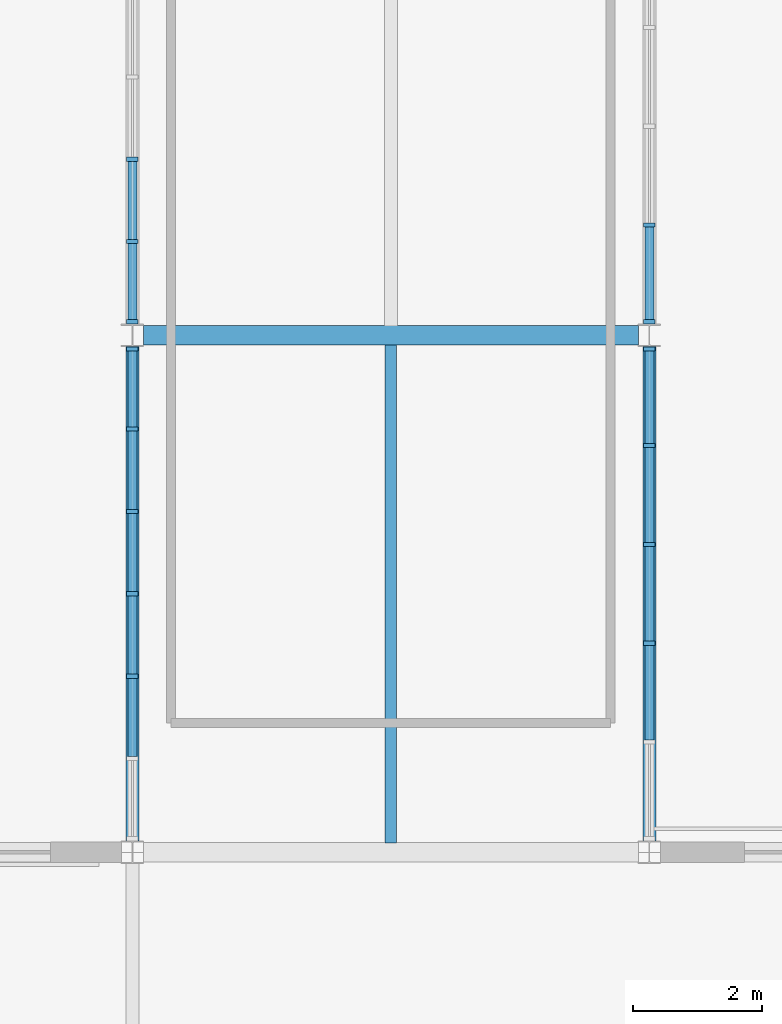
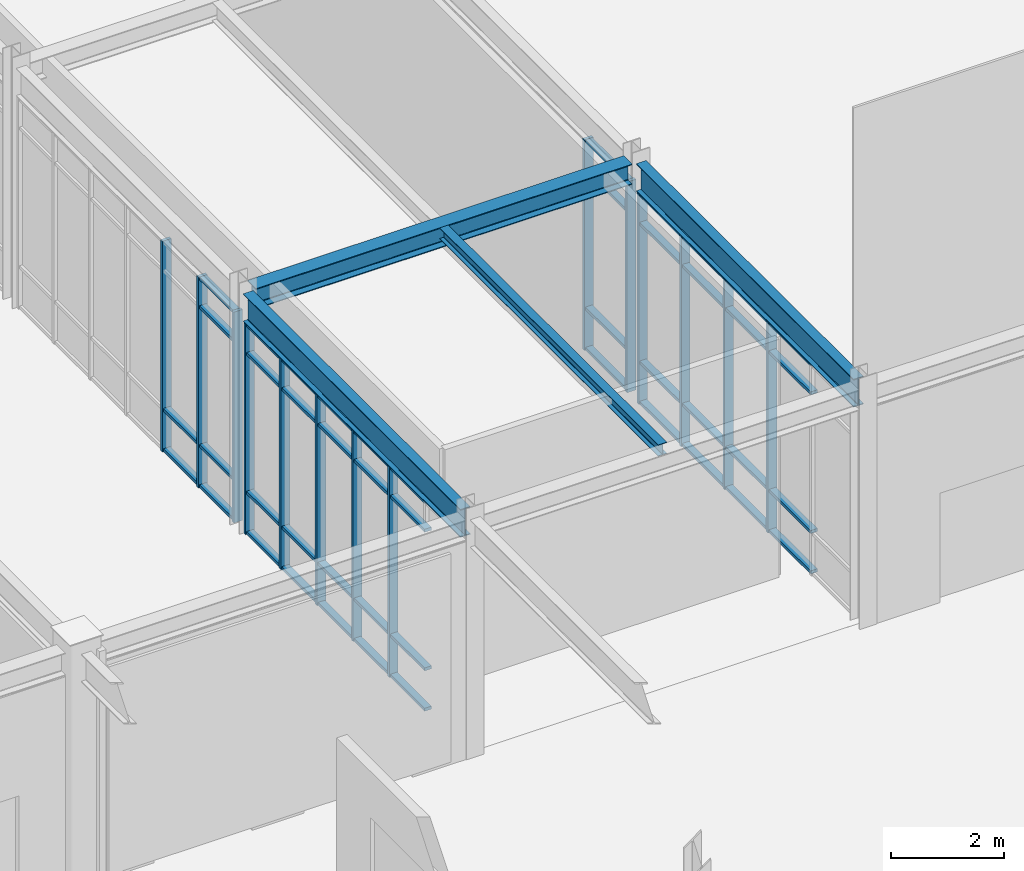
# One storey, part 26 of 119: 60 members, 4 beams, 4 elements without a shape of their own.
"""IFC4 building model written with IfcOpenShell, lengths in metres."""

from ifc_helpers import new_model, si_unit, direction, frame, origin, origin_2d, place, context, subcontext, project, spatial, rectangle, i_section, extrude, material, material_profile, profile_set, type_object, element, aggregate, save


model = new_model("IFC4")

# Units and contexts
model_context = context("Model", 3, precision=1e-05, world=origin(), true_north=direction((0.0, 1.0)))
body_context = subcontext(model_context, "Body", "Model", "MODEL_VIEW")
ifc_project = project(units=[si_unit("LENGTHUNIT", "METRE"), si_unit("AREAUNIT", "SQUARE_METRE"), si_unit("VOLUMEUNIT", "CUBIC_METRE"), si_unit("PLANEANGLEUNIT", "RADIAN"), si_unit("MASSUNIT", "GRAM", prefix="KILO")], contexts=[model_context])

# Site, building, storey
site_placement = place(None, origin())
site = spatial("IfcSite", under=ifc_project, at=site_placement, CompositionType="ELEMENT")
building_placement = place(site_placement, origin())
building = spatial("IfcBuilding", under=site, at=building_placement, Name="Zhaolan Boulevard Law Courts", CompositionType="ELEMENT")
storey_placement = place(building_placement, origin())
storey = spatial("IfcBuildingStorey", under=building, at=storey_placement, Name="L00", CompositionType="ELEMENT", Elevation=0.0)

# Curtain wall, members
ifc_material_1 = material(Name="Thermally broken aluminium and low-E glazing", Category="aluminium")
curtain_wall_type_1 = type_object("IfcCurtainWallType", Name="CURTAIN WALL M12", PredefinedType="USERDEFINED", material=ifc_material_1)
curtain_wall_1_placement = place(storey_placement, origin())
curtain_wall_1 = element("IfcCurtainWall", 1, at=curtain_wall_1_placement, inside=storey, type_object=curtain_wall_type_1, Name="Curtain Wall CW-L00-012", ObjectType="CURTAIN WALL", PredefinedType="USERDEFINED")
ifc_material_2 = material(Name="Fluorocarbon-coated aluminium 6063-T6", Category="aluminium")
ifc_material_profile_1 = material_profile(ifc_material_2, rectangle(XDim=0.179931640625, YDim=0.06494140625, at=origin_2d()), Name="AL65x180")
ifc_profile_set_1 = profile_set([ifc_material_profile_1], Name="Fluorocarbon-coated aluminium 6063-T6")
member_type_1 = type_object("IfcMemberType", Name="CWMULLION 65X180", PredefinedType="MULLION", material=ifc_profile_set_1)
member_1_placement = place(storey_placement, frame((52.0, 37.79052734375, 0.0), z_axis=(0.0, 0.0, 1.0), x_axis=(1.0, 0.0, 0.0)))
member_1 = element("IfcMember", 2, at=member_1_placement, type_object=member_type_1, Name="CW-L00-012 mullion 1", PredefinedType="MULLION", context=body_context, shape_type="SweptSolid", body=[
    extrude(rectangle(XDim=0.179931640625, YDim=0.06494140625, at=origin_2d()), origin(), (0.0, 0.0, 1.0), 4.532958984375),
])
member_2_placement = place(storey_placement, frame((52.0, 36.548583984375, 0.0), z_axis=(0.0, 0.0, 1.0), x_axis=(1.0, 0.0, 0.0)))
member_2 = element("IfcMember", 3, at=member_2_placement, type_object=member_type_1, Name="CW-L00-012 mullion 2", PredefinedType="MULLION", context=body_context, shape_type="SweptSolid", body=[
    extrude(rectangle(XDim=0.179931640625, YDim=0.06494140625, at=origin_2d()), origin(), (0.0, 0.0, 1.0), 4.532958984375),
])
member_3_placement = place(storey_placement, frame((52.0, 35.2744140625, 0.0), z_axis=(0.0, 0.0, 1.0), x_axis=(1.0, 0.0, 0.0)))
member_3 = element("IfcMember", 4, at=member_3_placement, type_object=member_type_1, Name="CW-L00-012 mullion 3", PredefinedType="MULLION", context=body_context, shape_type="SweptSolid", body=[
    extrude(rectangle(XDim=0.179931640625, YDim=0.06494140625, at=origin_2d()), origin(), (0.0, 0.0, 1.0), 4.532958984375),
])
member_4_placement = place(storey_placement, frame((52.0, 34.0, 0.0), z_axis=(0.0, 0.0, 1.0), x_axis=(1.0, 0.0, 0.0)))
member_4 = element("IfcMember", 5, at=member_4_placement, type_object=member_type_1, Name="CW-L00-012 mullion 4", PredefinedType="MULLION", context=body_context, shape_type="SweptSolid", body=[
    extrude(rectangle(XDim=0.179931640625, YDim=0.06494140625, at=origin_2d()), origin(), (0.0, 0.0, 1.0), 4.532958984375),
])
member_5_placement = place(storey_placement, frame((52.0, 32.7255859375, 0.0), z_axis=(0.0, 0.0, 1.0), x_axis=(1.0, 0.0, 0.0)))
member_5 = element("IfcMember", 6, at=member_5_placement, type_object=member_type_1, Name="CW-L00-012 mullion 5", PredefinedType="MULLION", context=body_context, shape_type="SweptSolid", body=[
    extrude(rectangle(XDim=0.179931640625, YDim=0.06494140625, at=origin_2d()), origin(), (0.0, 0.0, 1.0), 4.532958984375),
])

ifc_material_3 = material(Name="Thermally broken aluminium and low-E glazing", Category="aluminium")
curtain_wall_type_2 = type_object("IfcCurtainWallType", Name="CURTAIN WALL M13", PredefinedType="USERDEFINED", material=ifc_material_3)
curtain_wall_2_placement = place(storey_placement, origin())
curtain_wall_2 = element("IfcCurtainWall", 7, at=curtain_wall_2_placement, inside=storey, type_object=curtain_wall_type_2, Name="Curtain Wall CW-L00-013", ObjectType="CURTAIN WALL", PredefinedType="USERDEFINED")
member_6_placement = place(storey_placement, frame((52.0, 40.7255859375, 0.0), z_axis=(0.0, 0.0, 1.0), x_axis=(1.0, 0.0, 0.0)))
member_6 = element("IfcMember", 8, at=member_6_placement, type_object=member_type_1, Name="CW-L00-013 mullion 5", PredefinedType="MULLION", context=body_context, shape_type="SweptSolid", body=[
    extrude(rectangle(XDim=0.179931640625, YDim=0.06494140625, at=origin_2d()), origin(), (0.0, 0.0, 1.0), 4.532958984375),
])
member_7_placement = place(storey_placement, frame((52.0, 39.451416015625, 0.0), z_axis=(0.0, 0.0, 1.0), x_axis=(1.0, 0.0, 0.0)))
member_7 = element("IfcMember", 9, at=member_7_placement, type_object=member_type_1, Name="CW-L00-013 mullion 6", PredefinedType="MULLION", context=body_context, shape_type="SweptSolid", body=[
    extrude(rectangle(XDim=0.179931640625, YDim=0.06494140625, at=origin_2d()), origin(), (0.0, 0.0, 1.0), 4.532958984375),
])
member_8_placement = place(storey_placement, frame((52.0, 38.20947265625, 0.0), z_axis=(0.0, 0.0, 1.0), x_axis=(1.0, 0.0, 0.0)))
member_8 = element("IfcMember", 10, at=member_8_placement, type_object=member_type_1, Name="CW-L00-013 mullion 7", PredefinedType="MULLION", context=body_context, shape_type="SweptSolid", body=[
    extrude(rectangle(XDim=0.179931640625, YDim=0.06494140625, at=origin_2d()), origin(), (0.0, 0.0, 1.0), 4.532958984375),
])

ifc_material_4 = material(Name="Thermally broken aluminium and low-E glazing", Category="aluminium")
curtain_wall_type_3 = type_object("IfcCurtainWallType", Name="CURTAIN WALL M16", PredefinedType="USERDEFINED", material=ifc_material_4)
curtain_wall_3_placement = place(storey_placement, origin())
curtain_wall_3 = element("IfcCurtainWall", 11, at=curtain_wall_3_placement, inside=storey, type_object=curtain_wall_type_3, Name="Curtain Wall CW-L00-016", ObjectType="CURTAIN WALL", PredefinedType="USERDEFINED")
member_9_placement = place(storey_placement, frame((60.0, 33.2353515625, 0.0), z_axis=(0.0, 0.0, 1.0), x_axis=(-1.0, 0.0, 0.0)))
member_9 = element("IfcMember", 12, at=member_9_placement, type_object=member_type_1, Name="CW-L00-016 mullion 3", PredefinedType="MULLION", context=body_context, shape_type="SweptSolid", body=[
    extrude(rectangle(XDim=0.179931640625, YDim=0.06494140625, at=origin_2d()), origin(), (0.0, 0.0, 1.0), 4.532958984375),
])
member_10_placement = place(storey_placement, frame((60.0, 34.7646484375, 0.0), z_axis=(0.0, 0.0, 1.0), x_axis=(-1.0, 0.0, 0.0)))
member_10 = element("IfcMember", 13, at=member_10_placement, type_object=member_type_1, Name="CW-L00-016 mullion 4", PredefinedType="MULLION", context=body_context, shape_type="SweptSolid", body=[
    extrude(rectangle(XDim=0.179931640625, YDim=0.06494140625, at=origin_2d()), origin(), (0.0, 0.0, 1.0), 4.532958984375),
])
member_11_placement = place(storey_placement, frame((60.0, 36.293701171875, 0.0), z_axis=(0.0, 0.0, 1.0), x_axis=(-1.0, 0.0, 0.0)))
member_11 = element("IfcMember", 14, at=member_11_placement, type_object=member_type_1, Name="CW-L00-016 mullion 5", PredefinedType="MULLION", context=body_context, shape_type="SweptSolid", body=[
    extrude(rectangle(XDim=0.179931640625, YDim=0.06494140625, at=origin_2d()), origin(), (0.0, 0.0, 1.0), 4.532958984375),
])
member_12_placement = place(storey_placement, frame((60.0, 37.79052734375, 0.0), z_axis=(0.0, 0.0, 1.0), x_axis=(-1.0, 0.0, 0.0)))
member_12 = element("IfcMember", 15, at=member_12_placement, type_object=member_type_1, Name="CW-L00-016 mullion 6", PredefinedType="MULLION", context=body_context, shape_type="SweptSolid", body=[
    extrude(rectangle(XDim=0.179931640625, YDim=0.06494140625, at=origin_2d()), origin(), (0.0, 0.0, 1.0), 4.532958984375),
])

ifc_material_5 = material(Name="Thermally broken aluminium and low-E glazing", Category="aluminium")
curtain_wall_type_4 = type_object("IfcCurtainWallType", Name="CURTAIN WALL M17", PredefinedType="USERDEFINED", material=ifc_material_5)
curtain_wall_4_placement = place(storey_placement, origin())
curtain_wall_4 = element("IfcCurtainWall", 16, at=curtain_wall_4_placement, inside=storey, type_object=curtain_wall_type_4, Name="Curtain Wall CW-L00-017", ObjectType="CURTAIN WALL", PredefinedType="USERDEFINED")
member_13_placement = place(storey_placement, frame((60.0, 38.20947265625, 0.0), z_axis=(0.0, 0.0, 1.0), x_axis=(-1.0, 0.0, 0.0)))
member_13 = element("IfcMember", 17, at=member_13_placement, type_object=member_type_1, Name="CW-L00-017 mullion 1", PredefinedType="MULLION", context=body_context, shape_type="SweptSolid", body=[
    extrude(rectangle(XDim=0.179931640625, YDim=0.06494140625, at=origin_2d()), origin(), (0.0, 0.0, 1.0), 4.532958984375),
])
member_14_placement = place(storey_placement, frame((60.0, 39.706298828125, 0.0), z_axis=(0.0, 0.0, 1.0), x_axis=(-1.0, 0.0, 0.0)))
member_14 = element("IfcMember", 18, at=member_14_placement, type_object=member_type_1, Name="CW-L00-017 mullion 2", PredefinedType="MULLION", context=body_context, shape_type="SweptSolid", body=[
    extrude(rectangle(XDim=0.179931640625, YDim=0.06494140625, at=origin_2d()), origin(), (0.0, 0.0, 1.0), 4.532958984375),
])

# Member
ifc_material_6 = material(Name="Fluorocarbon-coated aluminium 6063-T6", Category="aluminium")
ifc_material_profile_2 = material_profile(ifc_material_6, rectangle(XDim=0.139892578125, YDim=0.06494140625, at=origin_2d()), Name="AL65x140")
ifc_profile_set_2 = profile_set([ifc_material_profile_2], Name="Fluorocarbon-coated aluminium 6063-T6")
member_type_2 = type_object("IfcMemberType", Name="CWTRANSOM 65X140", PredefinedType="USERDEFINED", material=ifc_profile_set_2)
member_15_placement = place(storey_placement, frame((52.0, 37.758056640625, 0.032470703125), z_axis=(0.0, -1.0, 0.0), x_axis=(1.0, 0.0, 0.0)))
member_15 = element("IfcMember", 19, at=member_15_placement, type_object=member_type_2, Name="CW-L00-012 transom 1.1", ObjectType="TRANSOM", PredefinedType="USERDEFINED", context=body_context, shape_type="SweptSolid", body=[
    extrude(rectangle(XDim=0.139892578125, YDim=0.06494140625, at=origin_2d()), origin(), (0.0, 0.0, 1.0), 1.177001953125),
])

member_16_placement = place(storey_placement, frame((52.0, 37.758056640625, 0.89990234375), z_axis=(0.0, -1.0, 0.0), x_axis=(1.0, 0.0, 0.0)))
member_16 = element("IfcMember", 20, at=member_16_placement, type_object=member_type_2, Name="CW-L00-012 transom 1.2", ObjectType="TRANSOM", PredefinedType="USERDEFINED", context=body_context, shape_type="SweptSolid", body=[
    extrude(rectangle(XDim=0.139892578125, YDim=0.06494140625, at=origin_2d()), origin(), (0.0, 0.0, 1.0), 1.177001953125),
])

member_17_placement = place(storey_placement, frame((52.0, 37.758056640625, 3.883056640625), z_axis=(0.0, -1.0, 0.0), x_axis=(1.0, 0.0, 0.0)))
member_17 = element("IfcMember", 21, at=member_17_placement, type_object=member_type_2, Name="CW-L00-012 transom 1.3", ObjectType="TRANSOM", PredefinedType="USERDEFINED", context=body_context, shape_type="SweptSolid", body=[
    extrude(rectangle(XDim=0.139892578125, YDim=0.06494140625, at=origin_2d()), origin(), (0.0, 0.0, 1.0), 1.177001953125),
])

member_18_placement = place(storey_placement, frame((52.0, 37.758056640625, 4.50048828125), z_axis=(0.0, -1.0, 0.0), x_axis=(1.0, 0.0, 0.0)))
member_18 = element("IfcMember", 22, at=member_18_placement, type_object=member_type_2, Name="CW-L00-012 transom 1.4", ObjectType="TRANSOM", PredefinedType="USERDEFINED", context=body_context, shape_type="SweptSolid", body=[
    extrude(rectangle(XDim=0.139892578125, YDim=0.06494140625, at=origin_2d()), origin(), (0.0, 0.0, 1.0), 1.177001953125),
])

member_19_placement = place(storey_placement, frame((52.0, 36.51611328125, 0.032470703125), z_axis=(0.0, -1.0, 0.0), x_axis=(1.0, 0.0, 0.0)))
member_19 = element("IfcMember", 23, at=member_19_placement, type_object=member_type_2, Name="CW-L00-012 transom 2.1", ObjectType="TRANSOM", PredefinedType="USERDEFINED", context=body_context, shape_type="SweptSolid", body=[
    extrude(rectangle(XDim=0.139892578125, YDim=0.06494140625, at=origin_2d()), origin(), (0.0, 0.0, 1.0), 1.209228515625),
])

member_20_placement = place(storey_placement, frame((52.0, 36.51611328125, 0.89990234375), z_axis=(0.0, -1.0, 0.0), x_axis=(1.0, 0.0, 0.0)))
member_20 = element("IfcMember", 24, at=member_20_placement, type_object=member_type_2, Name="CW-L00-012 transom 2.2", ObjectType="TRANSOM", PredefinedType="USERDEFINED", context=body_context, shape_type="SweptSolid", body=[
    extrude(rectangle(XDim=0.139892578125, YDim=0.06494140625, at=origin_2d()), origin(), (0.0, 0.0, 1.0), 1.209228515625),
])

member_21_placement = place(storey_placement, frame((52.0, 36.51611328125, 3.883056640625), z_axis=(0.0, -1.0, 0.0), x_axis=(1.0, 0.0, 0.0)))
member_21 = element("IfcMember", 25, at=member_21_placement, type_object=member_type_2, Name="CW-L00-012 transom 2.3", ObjectType="TRANSOM", PredefinedType="USERDEFINED", context=body_context, shape_type="SweptSolid", body=[
    extrude(rectangle(XDim=0.139892578125, YDim=0.06494140625, at=origin_2d()), origin(), (0.0, 0.0, 1.0), 1.209228515625),
])

member_22_placement = place(storey_placement, frame((52.0, 36.51611328125, 4.50048828125), z_axis=(0.0, -1.0, 0.0), x_axis=(1.0, 0.0, 0.0)))
member_22 = element("IfcMember", 26, at=member_22_placement, type_object=member_type_2, Name="CW-L00-012 transom 2.4", ObjectType="TRANSOM", PredefinedType="USERDEFINED", context=body_context, shape_type="SweptSolid", body=[
    extrude(rectangle(XDim=0.139892578125, YDim=0.06494140625, at=origin_2d()), origin(), (0.0, 0.0, 1.0), 1.209228515625),
])

member_23_placement = place(storey_placement, frame((52.0, 35.241943359375, 0.032470703125), z_axis=(0.0, -1.0, 0.0), x_axis=(1.0, 0.0, 0.0)))
member_23 = element("IfcMember", 27, at=member_23_placement, type_object=member_type_2, Name="CW-L00-012 transom 3.1", ObjectType="TRANSOM", PredefinedType="USERDEFINED", context=body_context, shape_type="SweptSolid", body=[
    extrude(rectangle(XDim=0.139892578125, YDim=0.06494140625, at=origin_2d()), origin(), (0.0, 0.0, 1.0), 1.20947265625),
])

member_24_placement = place(storey_placement, frame((52.0, 35.241943359375, 0.89990234375), z_axis=(0.0, -1.0, 0.0), x_axis=(1.0, 0.0, 0.0)))
member_24 = element("IfcMember", 28, at=member_24_placement, type_object=member_type_2, Name="CW-L00-012 transom 3.2", ObjectType="TRANSOM", PredefinedType="USERDEFINED", context=body_context, shape_type="SweptSolid", body=[
    extrude(rectangle(XDim=0.139892578125, YDim=0.06494140625, at=origin_2d()), origin(), (0.0, 0.0, 1.0), 1.20947265625),
])

member_25_placement = place(storey_placement, frame((52.0, 35.241943359375, 3.883056640625), z_axis=(0.0, -1.0, 0.0), x_axis=(1.0, 0.0, 0.0)))
member_25 = element("IfcMember", 29, at=member_25_placement, type_object=member_type_2, Name="CW-L00-012 transom 3.3", ObjectType="TRANSOM", PredefinedType="USERDEFINED", context=body_context, shape_type="SweptSolid", body=[
    extrude(rectangle(XDim=0.139892578125, YDim=0.06494140625, at=origin_2d()), origin(), (0.0, 0.0, 1.0), 1.20947265625),
])

member_26_placement = place(storey_placement, frame((52.0, 35.241943359375, 4.50048828125), z_axis=(0.0, -1.0, 0.0), x_axis=(1.0, 0.0, 0.0)))
member_26 = element("IfcMember", 30, at=member_26_placement, type_object=member_type_2, Name="CW-L00-012 transom 3.4", ObjectType="TRANSOM", PredefinedType="USERDEFINED", context=body_context, shape_type="SweptSolid", body=[
    extrude(rectangle(XDim=0.139892578125, YDim=0.06494140625, at=origin_2d()), origin(), (0.0, 0.0, 1.0), 1.20947265625),
])

member_27_placement = place(storey_placement, frame((52.0, 33.967529296875, 0.032470703125), z_axis=(0.0, -1.0, 0.0), x_axis=(1.0, 0.0, 0.0)))
member_27 = element("IfcMember", 31, at=member_27_placement, type_object=member_type_2, Name="CW-L00-012 transom 4.1", ObjectType="TRANSOM", PredefinedType="USERDEFINED", context=body_context, shape_type="SweptSolid", body=[
    extrude(rectangle(XDim=0.139892578125, YDim=0.06494140625, at=origin_2d()), origin(), (0.0, 0.0, 1.0), 1.20947265625),
])

member_28_placement = place(storey_placement, frame((52.0, 33.967529296875, 0.89990234375), z_axis=(0.0, -1.0, 0.0), x_axis=(1.0, 0.0, 0.0)))
member_28 = element("IfcMember", 32, at=member_28_placement, type_object=member_type_2, Name="CW-L00-012 transom 4.2", ObjectType="TRANSOM", PredefinedType="USERDEFINED", context=body_context, shape_type="SweptSolid", body=[
    extrude(rectangle(XDim=0.139892578125, YDim=0.06494140625, at=origin_2d()), origin(), (0.0, 0.0, 1.0), 1.20947265625),
])

member_29_placement = place(storey_placement, frame((52.0, 33.967529296875, 3.883056640625), z_axis=(0.0, -1.0, 0.0), x_axis=(1.0, 0.0, 0.0)))
member_29 = element("IfcMember", 33, at=member_29_placement, type_object=member_type_2, Name="CW-L00-012 transom 4.3", ObjectType="TRANSOM", PredefinedType="USERDEFINED", context=body_context, shape_type="SweptSolid", body=[
    extrude(rectangle(XDim=0.139892578125, YDim=0.06494140625, at=origin_2d()), origin(), (0.0, 0.0, 1.0), 1.20947265625),
])

member_30_placement = place(storey_placement, frame((52.0, 33.967529296875, 4.50048828125), z_axis=(0.0, -1.0, 0.0), x_axis=(1.0, 0.0, 0.0)))
member_30 = element("IfcMember", 34, at=member_30_placement, type_object=member_type_2, Name="CW-L00-012 transom 4.4", ObjectType="TRANSOM", PredefinedType="USERDEFINED", context=body_context, shape_type="SweptSolid", body=[
    extrude(rectangle(XDim=0.139892578125, YDim=0.06494140625, at=origin_2d()), origin(), (0.0, 0.0, 1.0), 1.20947265625),
])

member_31_placement = place(storey_placement, frame((52.0, 32.693115234375, 0.032470703125), z_axis=(0.0, -1.0, 0.0), x_axis=(1.0, 0.0, 0.0)))
member_31 = element("IfcMember", 35, at=member_31_placement, type_object=member_type_2, Name="CW-L00-012 transom 5.1", ObjectType="TRANSOM", PredefinedType="USERDEFINED", context=body_context, shape_type="SweptSolid", body=[
    extrude(rectangle(XDim=0.139892578125, YDim=0.06494140625, at=origin_2d()), origin(), (0.0, 0.0, 1.0), 1.209228515625),
])

member_32_placement = place(storey_placement, frame((52.0, 32.693115234375, 0.89990234375), z_axis=(0.0, -1.0, 0.0), x_axis=(1.0, 0.0, 0.0)))
member_32 = element("IfcMember", 36, at=member_32_placement, type_object=member_type_2, Name="CW-L00-012 transom 5.2", ObjectType="TRANSOM", PredefinedType="USERDEFINED", context=body_context, shape_type="SweptSolid", body=[
    extrude(rectangle(XDim=0.139892578125, YDim=0.06494140625, at=origin_2d()), origin(), (0.0, 0.0, 1.0), 1.209228515625),
])

member_33_placement = place(storey_placement, frame((52.0, 32.693115234375, 3.883056640625), z_axis=(0.0, -1.0, 0.0), x_axis=(1.0, 0.0, 0.0)))
member_33 = element("IfcMember", 37, at=member_33_placement, type_object=member_type_2, Name="CW-L00-012 transom 5.3", ObjectType="TRANSOM", PredefinedType="USERDEFINED", context=body_context, shape_type="SweptSolid", body=[
    extrude(rectangle(XDim=0.139892578125, YDim=0.06494140625, at=origin_2d()), origin(), (0.0, 0.0, 1.0), 1.209228515625),
])

member_34_placement = place(storey_placement, frame((52.0, 32.693115234375, 4.50048828125), z_axis=(0.0, -1.0, 0.0), x_axis=(1.0, 0.0, 0.0)))
member_34 = element("IfcMember", 38, at=member_34_placement, type_object=member_type_2, Name="CW-L00-012 transom 5.4", ObjectType="TRANSOM", PredefinedType="USERDEFINED", context=body_context, shape_type="SweptSolid", body=[
    extrude(rectangle(XDim=0.139892578125, YDim=0.06494140625, at=origin_2d()), origin(), (0.0, 0.0, 1.0), 1.209228515625),
])

aggregate(curtain_wall_1, [member_1, member_2, member_3, member_4, member_5, member_15, member_16, member_17, member_18, member_19, member_20, member_21, member_22, member_23, member_24, member_25, member_26, member_27, member_28, member_29, member_30, member_31, member_32, member_33, member_34])

member_35_placement = place(storey_placement, frame((52.0, 40.693115234375, 0.032470703125), z_axis=(0.0, -1.0, 0.0), x_axis=(1.0, 0.0, 0.0)))
member_35 = element("IfcMember", 39, at=member_35_placement, type_object=member_type_2, Name="CW-L00-013 transom 5.1", ObjectType="TRANSOM", PredefinedType="USERDEFINED", context=body_context, shape_type="SweptSolid", body=[
    extrude(rectangle(XDim=0.139892578125, YDim=0.06494140625, at=origin_2d()), origin(), (0.0, 0.0, 1.0), 1.209228515625),
])

member_36_placement = place(storey_placement, frame((52.0, 40.693115234375, 0.89990234375), z_axis=(0.0, -1.0, 0.0), x_axis=(1.0, 0.0, 0.0)))
member_36 = element("IfcMember", 40, at=member_36_placement, type_object=member_type_2, Name="CW-L00-013 transom 5.2", ObjectType="TRANSOM", PredefinedType="USERDEFINED", context=body_context, shape_type="SweptSolid", body=[
    extrude(rectangle(XDim=0.139892578125, YDim=0.06494140625, at=origin_2d()), origin(), (0.0, 0.0, 1.0), 1.209228515625),
])

member_37_placement = place(storey_placement, frame((52.0, 39.4189453125, 0.032470703125), z_axis=(0.0, -1.0, 0.0), x_axis=(1.0, 0.0, 0.0)))
member_37 = element("IfcMember", 41, at=member_37_placement, type_object=member_type_2, Name="CW-L00-013 transom 6.1", ObjectType="TRANSOM", PredefinedType="USERDEFINED", context=body_context, shape_type="SweptSolid", body=[
    extrude(rectangle(XDim=0.139892578125, YDim=0.06494140625, at=origin_2d()), origin(), (0.0, 0.0, 1.0), 1.177001953125),
])

member_38_placement = place(storey_placement, frame((52.0, 39.4189453125, 0.89990234375), z_axis=(0.0, -1.0, 0.0), x_axis=(1.0, 0.0, 0.0)))
member_38 = element("IfcMember", 42, at=member_38_placement, type_object=member_type_2, Name="CW-L00-013 transom 6.2", ObjectType="TRANSOM", PredefinedType="USERDEFINED", context=body_context, shape_type="SweptSolid", body=[
    extrude(rectangle(XDim=0.139892578125, YDim=0.06494140625, at=origin_2d()), origin(), (0.0, 0.0, 1.0), 1.177001953125),
])

member_39_placement = place(storey_placement, frame((52.0, 39.4189453125, 3.883056640625), z_axis=(0.0, -1.0, 0.0), x_axis=(1.0, 0.0, 0.0)))
member_39 = element("IfcMember", 43, at=member_39_placement, type_object=member_type_2, Name="CW-L00-013 transom 6.3", ObjectType="TRANSOM", PredefinedType="USERDEFINED", context=body_context, shape_type="SweptSolid", body=[
    extrude(rectangle(XDim=0.139892578125, YDim=0.06494140625, at=origin_2d()), origin(), (0.0, 0.0, 1.0), 1.177001953125),
])

member_40_placement = place(storey_placement, frame((52.0, 39.4189453125, 4.50048828125), z_axis=(0.0, -1.0, 0.0), x_axis=(1.0, 0.0, 0.0)))
member_40 = element("IfcMember", 44, at=member_40_placement, type_object=member_type_2, Name="CW-L00-013 transom 6.4", ObjectType="TRANSOM", PredefinedType="USERDEFINED", context=body_context, shape_type="SweptSolid", body=[
    extrude(rectangle(XDim=0.139892578125, YDim=0.06494140625, at=origin_2d()), origin(), (0.0, 0.0, 1.0), 1.177001953125),
])

aggregate(curtain_wall_2, [member_6, member_7, member_8, member_35, member_36, member_37, member_38, member_39, member_40])

member_41_placement = place(storey_placement, frame((60.0, 31.73876953125, 0.032470703125), z_axis=(0.0, 1.0, 0.0), x_axis=(-1.0, 0.0, 0.0)))
member_41 = element("IfcMember", 45, at=member_41_placement, type_object=member_type_2, Name="CW-L00-016 transom 2.1", ObjectType="TRANSOM", PredefinedType="USERDEFINED", context=body_context, shape_type="SweptSolid", body=[
    extrude(rectangle(XDim=0.139892578125, YDim=0.06494140625, at=origin_2d()), origin(), (0.0, 0.0, 1.0), 1.464111328125),
])

member_42_placement = place(storey_placement, frame((60.0, 31.73876953125, 0.89990234375), z_axis=(0.0, 1.0, 0.0), x_axis=(-1.0, 0.0, 0.0)))
member_42 = element("IfcMember", 46, at=member_42_placement, type_object=member_type_2, Name="CW-L00-016 transom 2.2", ObjectType="TRANSOM", PredefinedType="USERDEFINED", context=body_context, shape_type="SweptSolid", body=[
    extrude(rectangle(XDim=0.139892578125, YDim=0.06494140625, at=origin_2d()), origin(), (0.0, 0.0, 1.0), 1.464111328125),
])

member_43_placement = place(storey_placement, frame((60.0, 31.73876953125, 3.883056640625), z_axis=(0.0, 1.0, 0.0), x_axis=(-1.0, 0.0, 0.0)))
member_43 = element("IfcMember", 47, at=member_43_placement, type_object=member_type_2, Name="CW-L00-016 transom 2.3", ObjectType="TRANSOM", PredefinedType="USERDEFINED", context=body_context, shape_type="SweptSolid", body=[
    extrude(rectangle(XDim=0.139892578125, YDim=0.06494140625, at=origin_2d()), origin(), (0.0, 0.0, 1.0), 1.464111328125),
])

member_44_placement = place(storey_placement, frame((60.0, 31.73876953125, 4.50048828125), z_axis=(0.0, 1.0, 0.0), x_axis=(-1.0, 0.0, 0.0)))
member_44 = element("IfcMember", 48, at=member_44_placement, type_object=member_type_2, Name="CW-L00-016 transom 2.4", ObjectType="TRANSOM", PredefinedType="USERDEFINED", context=body_context, shape_type="SweptSolid", body=[
    extrude(rectangle(XDim=0.139892578125, YDim=0.06494140625, at=origin_2d()), origin(), (0.0, 0.0, 1.0), 1.464111328125),
])

member_45_placement = place(storey_placement, frame((60.0, 33.267822265625, 0.032470703125), z_axis=(0.0, 1.0, 0.0), x_axis=(-1.0, 0.0, 0.0)))
member_45 = element("IfcMember", 49, at=member_45_placement, type_object=member_type_2, Name="CW-L00-016 transom 3.1", ObjectType="TRANSOM", PredefinedType="USERDEFINED", context=body_context, shape_type="SweptSolid", body=[
    extrude(rectangle(XDim=0.139892578125, YDim=0.06494140625, at=origin_2d()), origin(), (0.0, 0.0, 1.0), 1.46435546875),
])

member_46_placement = place(storey_placement, frame((60.0, 33.267822265625, 0.89990234375), z_axis=(0.0, 1.0, 0.0), x_axis=(-1.0, 0.0, 0.0)))
member_46 = element("IfcMember", 50, at=member_46_placement, type_object=member_type_2, Name="CW-L00-016 transom 3.2", ObjectType="TRANSOM", PredefinedType="USERDEFINED", context=body_context, shape_type="SweptSolid", body=[
    extrude(rectangle(XDim=0.139892578125, YDim=0.06494140625, at=origin_2d()), origin(), (0.0, 0.0, 1.0), 1.46435546875),
])

member_47_placement = place(storey_placement, frame((60.0, 33.267822265625, 3.883056640625), z_axis=(0.0, 1.0, 0.0), x_axis=(-1.0, 0.0, 0.0)))
member_47 = element("IfcMember", 51, at=member_47_placement, type_object=member_type_2, Name="CW-L00-016 transom 3.3", ObjectType="TRANSOM", PredefinedType="USERDEFINED", context=body_context, shape_type="SweptSolid", body=[
    extrude(rectangle(XDim=0.139892578125, YDim=0.06494140625, at=origin_2d()), origin(), (0.0, 0.0, 1.0), 1.46435546875),
])

member_48_placement = place(storey_placement, frame((60.0, 33.267822265625, 4.50048828125), z_axis=(0.0, 1.0, 0.0), x_axis=(-1.0, 0.0, 0.0)))
member_48 = element("IfcMember", 52, at=member_48_placement, type_object=member_type_2, Name="CW-L00-016 transom 3.4", ObjectType="TRANSOM", PredefinedType="USERDEFINED", context=body_context, shape_type="SweptSolid", body=[
    extrude(rectangle(XDim=0.139892578125, YDim=0.06494140625, at=origin_2d()), origin(), (0.0, 0.0, 1.0), 1.46435546875),
])

member_49_placement = place(storey_placement, frame((60.0, 34.797119140625, 0.032470703125), z_axis=(0.0, 1.0, 0.0), x_axis=(-1.0, 0.0, 0.0)))
member_49 = element("IfcMember", 53, at=member_49_placement, type_object=member_type_2, Name="CW-L00-016 transom 4.1", ObjectType="TRANSOM", PredefinedType="USERDEFINED", context=body_context, shape_type="SweptSolid", body=[
    extrude(rectangle(XDim=0.139892578125, YDim=0.06494140625, at=origin_2d()), origin(), (0.0, 0.0, 1.0), 1.464111328125),
])

member_50_placement = place(storey_placement, frame((60.0, 34.797119140625, 0.89990234375), z_axis=(0.0, 1.0, 0.0), x_axis=(-1.0, 0.0, 0.0)))
member_50 = element("IfcMember", 54, at=member_50_placement, type_object=member_type_2, Name="CW-L00-016 transom 4.2", ObjectType="TRANSOM", PredefinedType="USERDEFINED", context=body_context, shape_type="SweptSolid", body=[
    extrude(rectangle(XDim=0.139892578125, YDim=0.06494140625, at=origin_2d()), origin(), (0.0, 0.0, 1.0), 1.464111328125),
])

member_51_placement = place(storey_placement, frame((60.0, 34.797119140625, 3.883056640625), z_axis=(0.0, 1.0, 0.0), x_axis=(-1.0, 0.0, 0.0)))
member_51 = element("IfcMember", 55, at=member_51_placement, type_object=member_type_2, Name="CW-L00-016 transom 4.3", ObjectType="TRANSOM", PredefinedType="USERDEFINED", context=body_context, shape_type="SweptSolid", body=[
    extrude(rectangle(XDim=0.139892578125, YDim=0.06494140625, at=origin_2d()), origin(), (0.0, 0.0, 1.0), 1.464111328125),
])

member_52_placement = place(storey_placement, frame((60.0, 34.797119140625, 4.50048828125), z_axis=(0.0, 1.0, 0.0), x_axis=(-1.0, 0.0, 0.0)))
member_52 = element("IfcMember", 56, at=member_52_placement, type_object=member_type_2, Name="CW-L00-016 transom 4.4", ObjectType="TRANSOM", PredefinedType="USERDEFINED", context=body_context, shape_type="SweptSolid", body=[
    extrude(rectangle(XDim=0.139892578125, YDim=0.06494140625, at=origin_2d()), origin(), (0.0, 0.0, 1.0), 1.464111328125),
])

member_53_placement = place(storey_placement, frame((60.0, 36.326416015625, 0.032470703125), z_axis=(0.0, 1.0, 0.0), x_axis=(-1.0, 0.0, 0.0)))
member_53 = element("IfcMember", 57, at=member_53_placement, type_object=member_type_2, Name="CW-L00-016 transom 5.1", ObjectType="TRANSOM", PredefinedType="USERDEFINED", context=body_context, shape_type="SweptSolid", body=[
    extrude(rectangle(XDim=0.139892578125, YDim=0.06494140625, at=origin_2d()), origin(), (0.0, 0.0, 1.0), 1.431640625),
])

member_54_placement = place(storey_placement, frame((60.0, 36.326416015625, 0.89990234375), z_axis=(0.0, 1.0, 0.0), x_axis=(-1.0, 0.0, 0.0)))
member_54 = element("IfcMember", 58, at=member_54_placement, type_object=member_type_2, Name="CW-L00-016 transom 5.2", ObjectType="TRANSOM", PredefinedType="USERDEFINED", context=body_context, shape_type="SweptSolid", body=[
    extrude(rectangle(XDim=0.139892578125, YDim=0.06494140625, at=origin_2d()), origin(), (0.0, 0.0, 1.0), 1.431640625),
])

member_55_placement = place(storey_placement, frame((60.0, 36.326416015625, 3.883056640625), z_axis=(0.0, 1.0, 0.0), x_axis=(-1.0, 0.0, 0.0)))
member_55 = element("IfcMember", 59, at=member_55_placement, type_object=member_type_2, Name="CW-L00-016 transom 5.3", ObjectType="TRANSOM", PredefinedType="USERDEFINED", context=body_context, shape_type="SweptSolid", body=[
    extrude(rectangle(XDim=0.139892578125, YDim=0.06494140625, at=origin_2d()), origin(), (0.0, 0.0, 1.0), 1.431640625),
])

member_56_placement = place(storey_placement, frame((60.0, 36.326416015625, 4.50048828125), z_axis=(0.0, 1.0, 0.0), x_axis=(-1.0, 0.0, 0.0)))
member_56 = element("IfcMember", 60, at=member_56_placement, type_object=member_type_2, Name="CW-L00-016 transom 5.4", ObjectType="TRANSOM", PredefinedType="USERDEFINED", context=body_context, shape_type="SweptSolid", body=[
    extrude(rectangle(XDim=0.139892578125, YDim=0.06494140625, at=origin_2d()), origin(), (0.0, 0.0, 1.0), 1.431640625),
])

aggregate(curtain_wall_3, [member_9, member_10, member_11, member_12, member_41, member_42, member_43, member_44, member_45, member_46, member_47, member_48, member_49, member_50, member_51, member_52, member_53, member_54, member_55, member_56])

member_57_placement = place(storey_placement, frame((60.0, 38.241943359375, 0.032470703125), z_axis=(0.0, 1.0, 0.0), x_axis=(-1.0, 0.0, 0.0)))
member_57 = element("IfcMember", 61, at=member_57_placement, type_object=member_type_2, Name="CW-L00-017 transom 1.1", ObjectType="TRANSOM", PredefinedType="USERDEFINED", context=body_context, shape_type="SweptSolid", body=[
    extrude(rectangle(XDim=0.139892578125, YDim=0.06494140625, at=origin_2d()), origin(), (0.0, 0.0, 1.0), 1.431640625),
])

member_58_placement = place(storey_placement, frame((60.0, 38.241943359375, 0.89990234375), z_axis=(0.0, 1.0, 0.0), x_axis=(-1.0, 0.0, 0.0)))
member_58 = element("IfcMember", 62, at=member_58_placement, type_object=member_type_2, Name="CW-L00-017 transom 1.2", ObjectType="TRANSOM", PredefinedType="USERDEFINED", context=body_context, shape_type="SweptSolid", body=[
    extrude(rectangle(XDim=0.139892578125, YDim=0.06494140625, at=origin_2d()), origin(), (0.0, 0.0, 1.0), 1.431640625),
])

member_59_placement = place(storey_placement, frame((60.0, 38.241943359375, 3.883056640625), z_axis=(0.0, 1.0, 0.0), x_axis=(-1.0, 0.0, 0.0)))
member_59 = element("IfcMember", 63, at=member_59_placement, type_object=member_type_2, Name="CW-L00-017 transom 1.3", ObjectType="TRANSOM", PredefinedType="USERDEFINED", context=body_context, shape_type="SweptSolid", body=[
    extrude(rectangle(XDim=0.139892578125, YDim=0.06494140625, at=origin_2d()), origin(), (0.0, 0.0, 1.0), 1.431640625),
])

member_60_placement = place(storey_placement, frame((60.0, 38.241943359375, 4.50048828125), z_axis=(0.0, 1.0, 0.0), x_axis=(-1.0, 0.0, 0.0)))
member_60 = element("IfcMember", 64, at=member_60_placement, type_object=member_type_2, Name="CW-L00-017 transom 1.4", ObjectType="TRANSOM", PredefinedType="USERDEFINED", context=body_context, shape_type="SweptSolid", body=[
    extrude(rectangle(XDim=0.139892578125, YDim=0.06494140625, at=origin_2d()), origin(), (0.0, 0.0, 1.0), 1.431640625),
])

aggregate(curtain_wall_4, [member_13, member_14, member_57, member_58, member_59, member_60])

# Beams
ifc_material_7 = material(Name="Structural steel Q355B", Category="steel")
ifc_material_profile_3 = material_profile(ifc_material_7, i_section(OverallWidth=0.300048828125, OverallDepth=0.43994140625, WebThickness=0.010986328125, FlangeThickness=0.01806640625, FilletRadius=0.02001953125, at=origin_2d()), Name="HM440x300")
ifc_profile_set_3 = profile_set([ifc_material_profile_3], Name="Structural steel Q355B")
beam_type_1 = type_object("IfcBeamType", Name="GIRDER HM440", PredefinedType="BEAM", material=ifc_profile_set_3)
beam_1_placement = place(storey_placement, frame((52.1708984375, 38.0, 4.927978515625), z_axis=(1.0, 0.0, 0.0), x_axis=(0.0, 1.0, 0.0)))
element("IfcBeam", 65, at=beam_1_placement, inside=storey, type_object=beam_type_1, Name="Beam BX-L01-7-8-F", PredefinedType="BEAM", context=body_context, shape_type="SweptSolid", body=[
    extrude(i_section(OverallWidth=0.300048828125, OverallDepth=0.43994140625, WebThickness=0.010986328125, FlangeThickness=0.01806640625, FilletRadius=0.02001953125, at=origin_2d()), origin(), (0.0, 0.0, 1.0), 7.658203125),
])
ifc_material_8 = material(Name="Structural steel Q355B", Category="steel")
ifc_material_profile_4 = material_profile(ifc_material_8, i_section(OverallWidth=0.199951171875, OverallDepth=0.60009765625, WebThickness=0.010986328125, FlangeThickness=0.01708984375, FilletRadius=0.02001953125, at=origin_2d()), Name="HN600x200")
ifc_profile_set_4 = profile_set([ifc_material_profile_4], Name="Structural steel Q355B")
beam_type_2 = type_object("IfcBeamType", Name="GIRDER HN600", PredefinedType="BEAM", material=ifc_profile_set_4)
for number, where, z_axis, x_axis, name in (
    (66, (52.0, 30.1708984375, 4.847900390625), (0.0, 1.0, 0.0), (-1.0, 0.0, 0.0), "Beam BY-L01-7-E-F"),
    (67, (60.0, 30.1708984375, 4.847900390625), (0.0, 1.0, 0.0), (-1.0, 0.0, 0.0), "Beam BY-L01-8-E-F"),
):
    element("IfcBeam", number, at=place(storey_placement, frame(where, z_axis=z_axis, x_axis=x_axis)), inside=storey, type_object=beam_type_2, Name=name, PredefinedType="BEAM", context=body_context, shape_type="SweptSolid", body=[
        extrude(i_section(OverallWidth=0.199951171875, OverallDepth=0.60009765625, WebThickness=0.010986328125, FlangeThickness=0.01708984375, FilletRadius=0.02001953125, at=origin_2d()), origin(), (0.0, 0.0, 1.0), 7.658203125),
    ])
ifc_material_9 = material(Name="Structural steel Q355B", Category="steel")
ifc_material_profile_5 = material_profile(ifc_material_9, i_section(OverallWidth=0.175048828125, OverallDepth=0.243896484375, WebThickness=0.007080078125, FlangeThickness=0.010986328125, FilletRadius=0.012939453125, at=origin_2d()), Name="HM244x175")
ifc_profile_set_5 = profile_set([ifc_material_profile_5], Name="Structural steel Q355B")
beam_type_3 = type_object("IfcBeamType", Name="JOIST HM244", PredefinedType="JOIST", material=ifc_profile_set_5)
beam_2_placement = place(storey_placement, frame((56.0, 30.14599609375, 5.02587890625), z_axis=(0.0, 1.0, 0.0), x_axis=(-1.0, 0.0, 0.0)))
element("IfcBeam", 68, at=beam_2_placement, inside=storey, type_object=beam_type_3, Name="Composite Joist J-L01-7E", PredefinedType="JOIST", context=body_context, shape_type="SweptSolid", body=[
    extrude(i_section(OverallWidth=0.175048828125, OverallDepth=0.243896484375, WebThickness=0.007080078125, FlangeThickness=0.010986328125, FilletRadius=0.012939453125, at=origin_2d()), origin(), (0.0, 0.0, 1.0), 7.7080078125),
])

save(model, "model.ifc")
